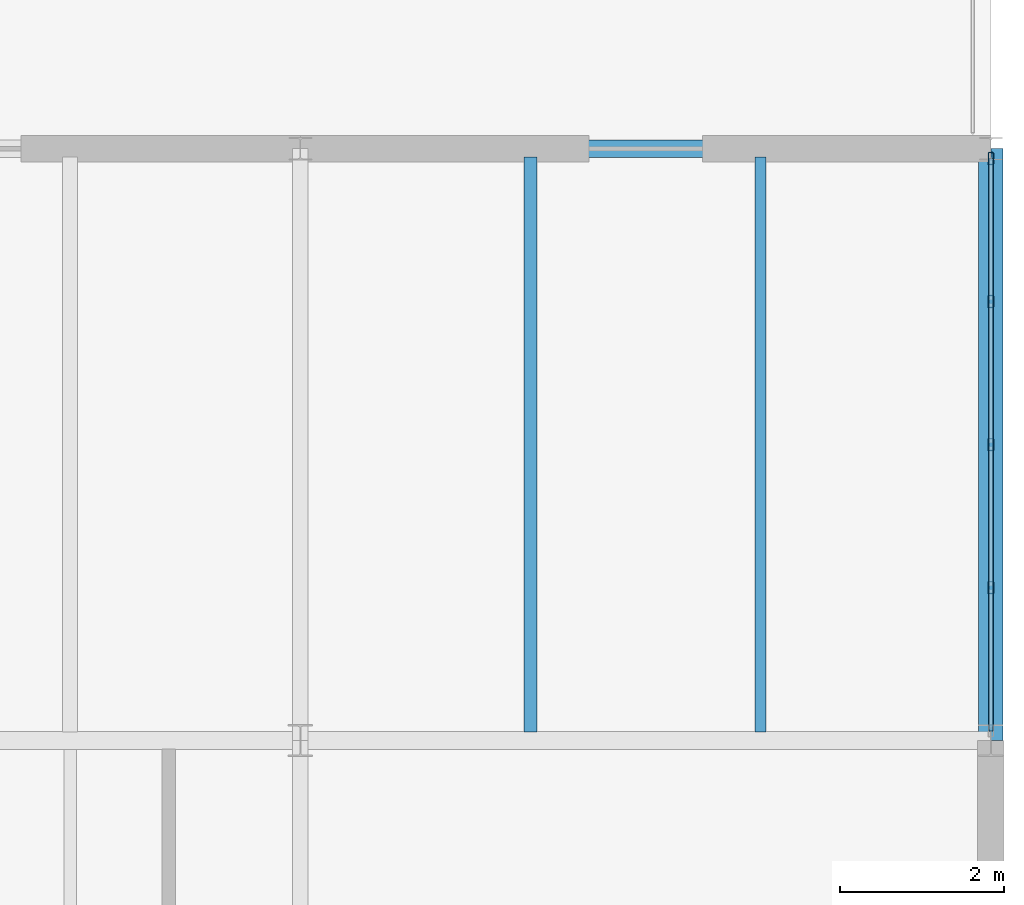
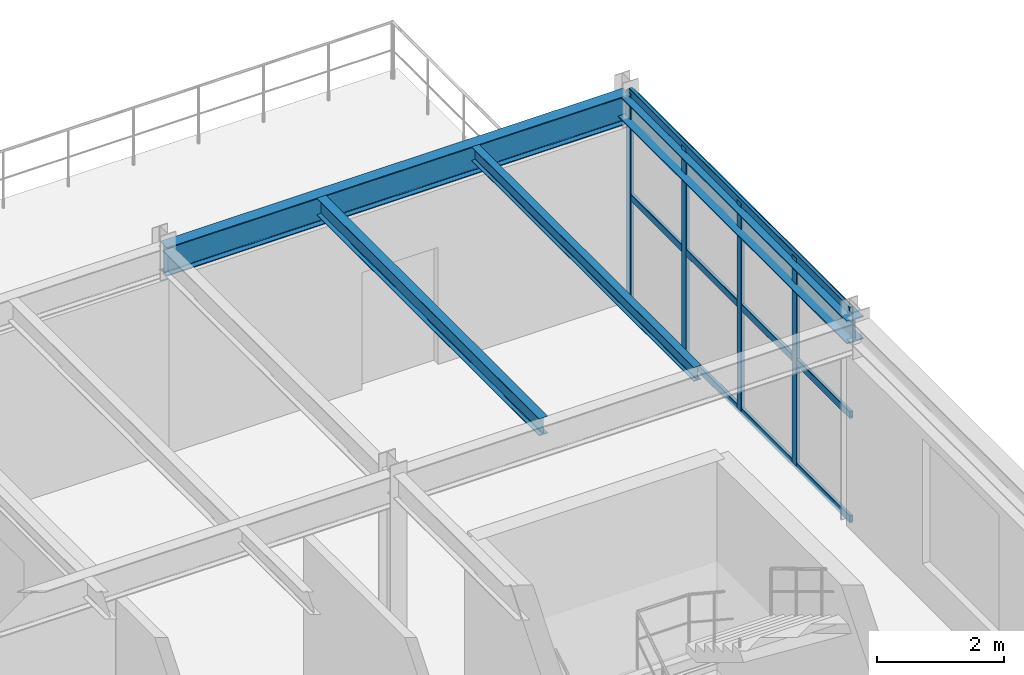
# One storey, part 49 of 73: 7 members, 4 beams, 1 element without a shape of its own.
"""IFC4 building model written with IfcOpenShell, lengths in metres."""

from ifc_helpers import new_model, si_unit, derived_unit, direction, frame, origin, origin_2d, place, context, subcontext, project, spatial, hollow_rectangle, i_section, extrude, material, material_profile, profile_set, type_object, element, aggregate, save


model = new_model("IFC4")

# Units and contexts
model_context = context("Model", 3, precision=1e-05, world=origin(), true_north=direction((0.0, 1.0)))
body_context = subcontext(model_context, "Body", "Model", "MODEL_VIEW")
ifc_project = project(units=[si_unit("LENGTHUNIT", "METRE"), si_unit("AREAUNIT", "SQUARE_METRE"), si_unit("VOLUMEUNIT", "CUBIC_METRE"), si_unit("PLANEANGLEUNIT", "RADIAN"), si_unit("MASSUNIT", "GRAM", prefix="KILO"), derived_unit("THERMALTRANSMITTANCEUNIT", [(si_unit("MASSUNIT", "GRAM", prefix="KILO"), 1), (si_unit("TIMEUNIT", "SECOND"), -3), (si_unit("THERMODYNAMICTEMPERATUREUNIT", "KELVIN"), -1)])], contexts=[model_context])

# Site, building, storey
site_placement = place(None, origin())
site = spatial("IfcSite", under=ifc_project, at=site_placement, CompositionType="ELEMENT")
building_placement = place(site_placement, origin())
building = spatial("IfcBuilding", under=site, at=building_placement, Name="Kharveza Railside Sports Centre", CompositionType="ELEMENT")
storey_placement = place(building_placement, frame((0.0, 0.0, 8.699951171875)))
storey = spatial("IfcBuildingStorey", under=building, at=storey_placement, Name="L02", CompositionType="ELEMENT", Elevation=8.699951171875)

# Beams
ifc_material_1 = material(Name="Steel S355J2", Category="steel")
ifc_material_profile_1 = material_profile(ifc_material_1, i_section(OverallWidth=0.2099609375, OverallDepth=0.550048828125, WebThickness=0.010986328125, FlangeThickness=0.01708984375, FilletRadius=0.02392578125, at=origin_2d()), Name="IPE 550")
ifc_profile_set_1 = profile_set([ifc_material_profile_1], Name="Steel S355J2")
beam_type_1 = type_object("IfcBeamType", Name="BM-G02", PredefinedType="T_BEAM", material=ifc_profile_set_1)
beam_1_placement = place(storey_placement, frame((159.60009765625, 93.60009765625, 3.64501953125), z_axis=(1.0, 0.0, 0.0), x_axis=(0.0, 1.0, 0.0)))
element("IfcBeam", 1, at=beam_1_placement, inside=storey, type_object=beam_type_1, Name="BM-EW-L02-B02-X1596-Y936", PredefinedType="T_BEAM", context=body_context, shape_type="SweptSolid", body=[
    extrude(i_section(OverallWidth=0.2099609375, OverallDepth=0.550048828125, WebThickness=0.010986328125, FlangeThickness=0.01708984375, FilletRadius=0.02392578125, at=origin_2d()), origin(), (0.0, 0.0, 1.0), 8.39990234375),
])
ifc_material_profile_2 = material_profile(ifc_material_1, i_section(OverallWidth=0.159912109375, OverallDepth=0.330078125, WebThickness=0.007568359375, FlangeThickness=0.011474609375, FilletRadius=0.01806640625, at=origin_2d()), Name="IPE 330")
ifc_profile_set_2 = profile_set([ifc_material_profile_2], Name="Steel S355J2")
beam_type_2 = type_object("IfcBeamType", Name="BM-S03", PredefinedType="BEAM", material=ifc_profile_set_2)
beam_2_placement = place(storey_placement, frame((162.39990234375, 86.507080078125, 3.755126953125), z_axis=(0.0, 1.0, 0.0), x_axis=(-1.0, 0.0, 0.0)))
element("IfcBeam", 2, at=beam_2_placement, inside=storey, type_object=beam_type_2, Name="BM-SEC-L02-B11-X1624-Y864", PredefinedType="BEAM", context=body_context, shape_type="SweptSolid", body=[
    extrude(i_section(OverallWidth=0.159912109375, OverallDepth=0.330078125, WebThickness=0.007568359375, FlangeThickness=0.011474609375, FilletRadius=0.01806640625, at=origin_2d()), origin(), (0.0, 0.0, 1.0), 6.990966796875),
])
ifc_material_profile_3 = material_profile(ifc_material_1, i_section(OverallWidth=0.135009765625, OverallDepth=0.27001953125, WebThickness=0.006591796875, FlangeThickness=0.01025390625, FilletRadius=0.014892578125, at=origin_2d()), Name="IPE 270")
ifc_profile_set_3 = profile_set([ifc_material_profile_3], Name="Steel S355J2")
beam_type_3 = type_object("IfcBeamType", Name="BM-S05", PredefinedType="BEAM", material=ifc_profile_set_3)
beam_3_placement = place(storey_placement, frame((165.199951171875, 86.507080078125, 3.78515625), z_axis=(0.0, 1.0, 0.0), x_axis=(-1.0, 0.0, 0.0)))
element("IfcBeam", 3, at=beam_3_placement, inside=storey, type_object=beam_type_3, Name="BM-SEC-L02-B13-X1652-Y864", PredefinedType="BEAM", context=body_context, shape_type="SweptSolid", body=[
    extrude(i_section(OverallWidth=0.135009765625, OverallDepth=0.27001953125, WebThickness=0.006591796875, FlangeThickness=0.01025390625, FilletRadius=0.014892578125, at=origin_2d()), origin(), (0.0, 0.0, 1.0), 6.990966796875),
])
ifc_material_profile_4 = material_profile(ifc_material_1, i_section(OverallWidth=0.300048828125, OverallDepth=0.43994140625, WebThickness=0.011474609375, FlangeThickness=0.02099609375, FilletRadius=0.027099609375, at=origin_2d()), Name="HEA 450")
ifc_profile_set_4 = profile_set([ifc_material_profile_4], Name="Steel S355J2")
beam_type_4 = type_object("IfcBeamType", Name="BM-SP01", PredefinedType="SPANDREL", material=ifc_profile_set_4)
beam_4_placement = place(storey_placement, frame((168.0, 86.39990234375, 3.699951171875), z_axis=(0.0, 1.0, 0.0), x_axis=(-1.0, 0.0, 0.0)))
element("IfcBeam", 4, at=beam_4_placement, inside=storey, type_object=beam_type_4, Name="BM-NS-L02-B15-X1680-Y864", PredefinedType="SPANDREL", context=body_context, shape_type="SweptSolid", body=[
    extrude(i_section(OverallWidth=0.300048828125, OverallDepth=0.43994140625, WebThickness=0.011474609375, FlangeThickness=0.02099609375, FilletRadius=0.027099609375, at=origin_2d()), origin(), (0.0, 0.0, 1.0), 7.2001953125),
])

# Curtain wall, members
ifc_material_2 = material(Name="Low-E solar-control laminated glass", Category="glass")
curtain_wall_type = type_object("IfcCurtainWallType", Name="CW-WG02", PredefinedType="NOTDEFINED", material=ifc_material_2)
curtain_wall_placement = place(storey_placement, origin())
curtain_wall = element("IfcCurtainWall", 5, at=curtain_wall_placement, inside=storey, type_object=curtain_wall_type, Name="CW-WG-L02-CW-WG02-X1680-Y900", PredefinedType="NOTDEFINED")
ifc_material_3 = material(Name="Anodised aluminium 6063-T6", Category="aluminium")
ifc_material_profile_5 = material_profile(ifc_material_3, hollow_rectangle(XDim=0.06494140625, YDim=0.14990234375, WallThickness=0.0048828125, InnerFilletRadius=0.0048828125, OuterFilletRadius=0.010009765625, at=origin_2d()), Name="RHS 65x150x5.0")
ifc_profile_set_5 = profile_set([ifc_material_profile_5], Name="Anodised aluminium 6063-T6")
member_type_1 = type_object("IfcMemberType", Name="CW-ML04", PredefinedType="MULLION", material=ifc_profile_set_5)
member_1_placement = place(storey_placement, frame((168.0, 88.260009765625, 0.0), z_axis=(0.0, 0.0, 1.0), x_axis=(1.0, 0.0, 0.0)))
member_1 = element("IfcMember", 6, at=member_1_placement, type_object=member_type_1, Name="CW-WG-L02-CW-WG02-X1680-Y900-ML2", PredefinedType="MULLION", context=body_context, shape_type="SweptSolid", body=[
    extrude(hollow_rectangle(XDim=0.06494140625, YDim=0.14990234375, WallThickness=0.0048828125, InnerFilletRadius=0.0048828125, OuterFilletRadius=0.010009765625, at=origin_2d()), origin(), (0.0, 0.0, 1.0), 4.0),
])
member_2_placement = place(storey_placement, frame((168.0, 90.0, 0.0), z_axis=(0.0, 0.0, 1.0), x_axis=(1.0, 0.0, 0.0)))
member_2 = element("IfcMember", 7, at=member_2_placement, type_object=member_type_1, Name="CW-WG-L02-CW-WG02-X1680-Y900-ML3", PredefinedType="MULLION", context=body_context, shape_type="SweptSolid", body=[
    extrude(hollow_rectangle(XDim=0.06494140625, YDim=0.14990234375, WallThickness=0.0048828125, InnerFilletRadius=0.0048828125, OuterFilletRadius=0.010009765625, at=origin_2d()), origin(), (0.0, 0.0, 1.0), 4.0),
])
member_3_placement = place(storey_placement, frame((168.0, 91.739990234375, 0.0), z_axis=(0.0, 0.0, 1.0), x_axis=(1.0, 0.0, 0.0)))
member_3 = element("IfcMember", 8, at=member_3_placement, type_object=member_type_1, Name="CW-WG-L02-CW-WG02-X1680-Y900-ML4", PredefinedType="MULLION", context=body_context, shape_type="SweptSolid", body=[
    extrude(hollow_rectangle(XDim=0.06494140625, YDim=0.14990234375, WallThickness=0.0048828125, InnerFilletRadius=0.0048828125, OuterFilletRadius=0.010009765625, at=origin_2d()), origin(), (0.0, 0.0, 1.0), 4.0),
])
member_4_placement = place(storey_placement, frame((168.0, 93.47998046875, 0.0), z_axis=(0.0, 0.0, 1.0), x_axis=(1.0, 0.0, 0.0)))
member_4 = element("IfcMember", 9, at=member_4_placement, type_object=member_type_1, Name="CW-WG-L02-CW-WG02-X1680-Y900-ML5", PredefinedType="MULLION", context=body_context, shape_type="SweptSolid", body=[
    extrude(hollow_rectangle(XDim=0.06494140625, YDim=0.14990234375, WallThickness=0.0048828125, InnerFilletRadius=0.0048828125, OuterFilletRadius=0.010009765625, at=origin_2d()), origin(), (0.0, 0.0, 1.0), 4.0),
])
ifc_material_profile_6 = material_profile(ifc_material_3, hollow_rectangle(XDim=0.06005859375, YDim=0.139892578125, WallThickness=0.0048828125, InnerFilletRadius=0.0048828125, OuterFilletRadius=0.010009765625, at=origin_2d()), Name="RHS 60x140x5.0")
ifc_profile_set_6 = profile_set([ifc_material_profile_6], Name="Anodised aluminium 6063-T6")
member_type_2 = type_object("IfcMemberType", Name="CW-TR04", PredefinedType="USERDEFINED", material=ifc_profile_set_6)
member_5_placement = place(storey_placement, frame((168.0, 86.52001953125, 0.0), z_axis=(0.0, 1.0, 0.0), x_axis=(-1.0, 0.0, 0.0)))
member_5 = element("IfcMember", 10, at=member_5_placement, type_object=member_type_2, Name="CW-WG-L02-CW-WG02-X1680-Y900-TR1", ObjectType="TRANSOM", PredefinedType="USERDEFINED", context=body_context, shape_type="SweptSolid", body=[
    extrude(hollow_rectangle(XDim=0.06005859375, YDim=0.139892578125, WallThickness=0.0048828125, InnerFilletRadius=0.0048828125, OuterFilletRadius=0.010009765625, at=origin_2d()), origin(), (0.0, 0.0, 1.0), 6.9599609375),
])
member_6_placement = place(storey_placement, frame((168.0, 86.52001953125, 2.0), z_axis=(0.0, 1.0, 0.0), x_axis=(-1.0, 0.0, 0.0)))
member_6 = element("IfcMember", 11, at=member_6_placement, type_object=member_type_2, Name="CW-WG-L02-CW-WG02-X1680-Y900-TR2", ObjectType="TRANSOM", PredefinedType="USERDEFINED", context=body_context, shape_type="SweptSolid", body=[
    extrude(hollow_rectangle(XDim=0.06005859375, YDim=0.139892578125, WallThickness=0.0048828125, InnerFilletRadius=0.0048828125, OuterFilletRadius=0.010009765625, at=origin_2d()), origin(), (0.0, 0.0, 1.0), 6.9599609375),
])
member_7_placement = place(storey_placement, frame((168.0, 86.52001953125, 4.0), z_axis=(0.0, 1.0, 0.0), x_axis=(-1.0, 0.0, 0.0)))
member_7 = element("IfcMember", 12, at=member_7_placement, type_object=member_type_2, Name="CW-WG-L02-CW-WG02-X1680-Y900-TR3", ObjectType="TRANSOM", PredefinedType="USERDEFINED", context=body_context, shape_type="SweptSolid", body=[
    extrude(hollow_rectangle(XDim=0.06005859375, YDim=0.139892578125, WallThickness=0.0048828125, InnerFilletRadius=0.0048828125, OuterFilletRadius=0.010009765625, at=origin_2d()), origin(), (0.0, 0.0, 1.0), 6.9599609375),
])
aggregate(curtain_wall, [member_1, member_2, member_3, member_4, member_5, member_6, member_7])

save(model, "model.ifc")
